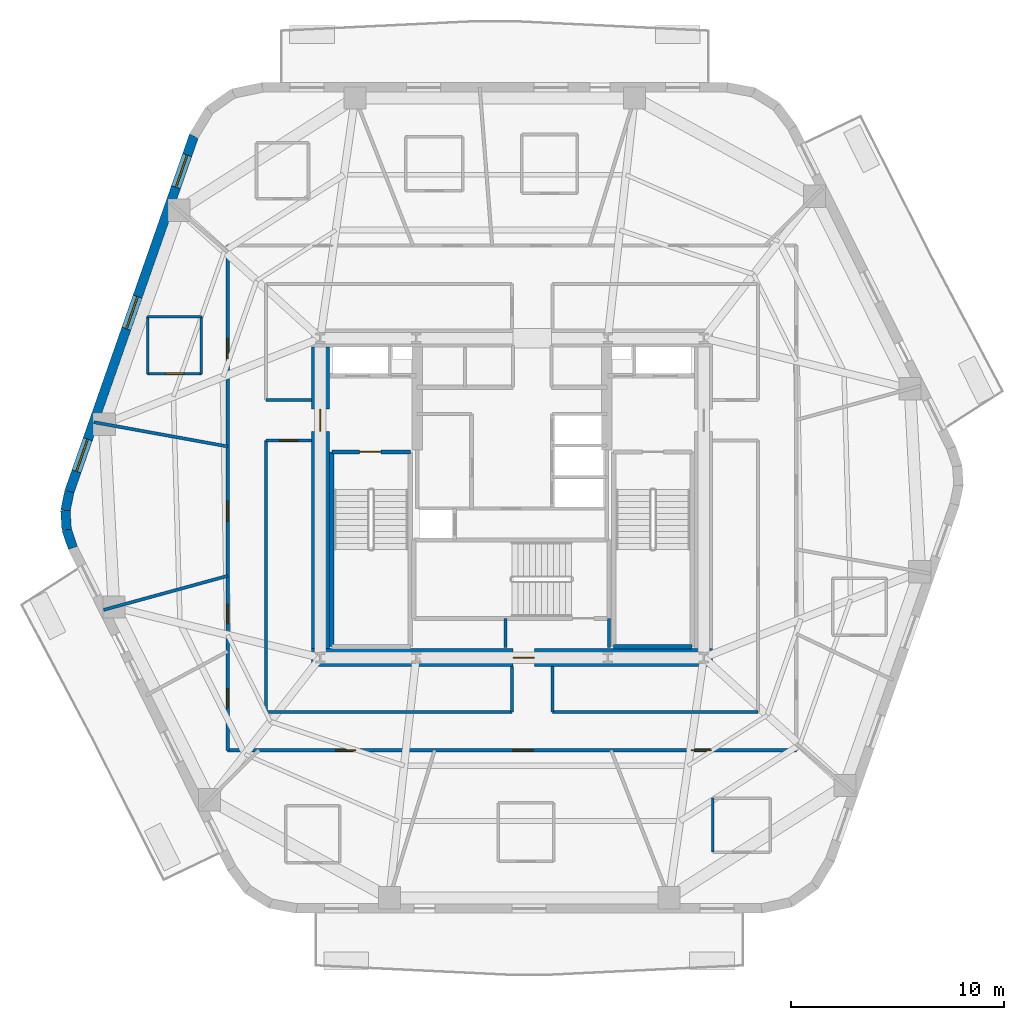
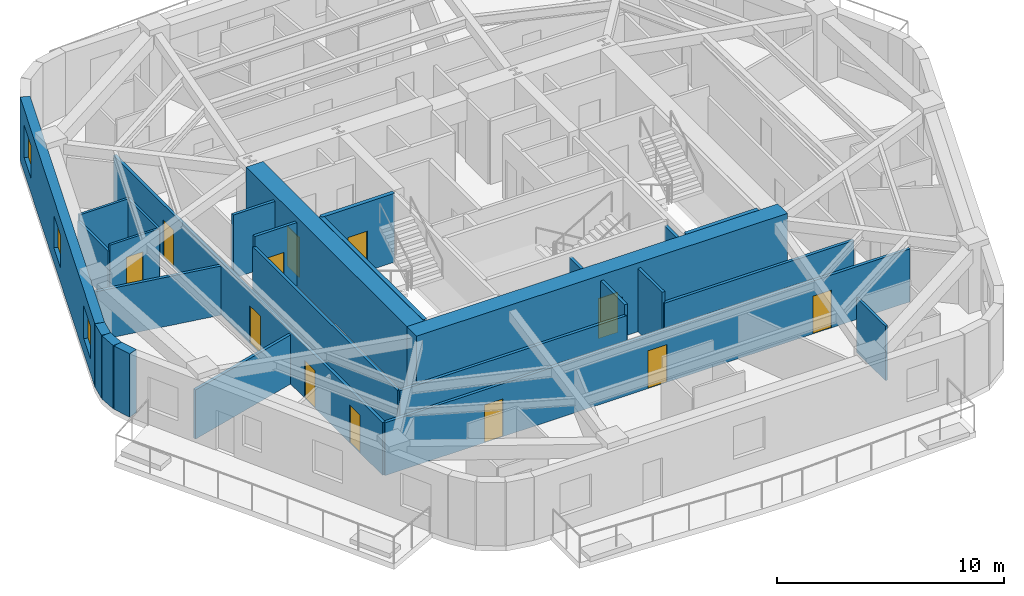
# One storey, part 3 of 10: 27 walls, 12 doors, 3 windows, 15 openings.
"""IFC4 building model written with IfcOpenShell, lengths in metres."""

from ifc_helpers import new_model, si_unit, direction, frame, frame_2d, origin, place, context, subcontext, project, spatial, rectangle, extrude, material, layer, layer_set, type_object, element, fill, save


model = new_model("IFC4")

# Units and contexts
model_context = context("Model", 3, precision=1e-05, world=origin(), true_north=direction((0.0, 1.0)))
body_context = subcontext(model_context, "Body", "Model", "MODEL_VIEW")
ifc_project = project(units=[si_unit("LENGTHUNIT", "METRE"), si_unit("AREAUNIT", "SQUARE_METRE"), si_unit("VOLUMEUNIT", "CUBIC_METRE"), si_unit("PLANEANGLEUNIT", "RADIAN"), si_unit("MASSUNIT", "GRAM", prefix="KILO")], contexts=[model_context])

# Site, building, storey
site_placement = place(None, origin())
site = spatial("IfcSite", under=ifc_project, at=site_placement, CompositionType="ELEMENT")
building_placement = place(site_placement, origin())
building = spatial("IfcBuilding", under=site, at=building_placement, Name="Kilnhurst Terrace Hotel", CompositionType="ELEMENT")
storey_placement = place(building_placement, frame((0.0, 0.0, 155.39990234375)))
storey = spatial("IfcBuildingStorey", under=building, at=storey_placement, Name="L38", CompositionType="ELEMENT", Elevation=155.39990234375)

# Walls
ifc_material_1 = material(Name="Precast concrete C40/50", Category="concrete")
ifc_layer_1 = layer(ifc_material_1, 0.449951171875, Name="Precast concrete C40/50")
ifc_layer_set_1 = layer_set([ifc_layer_1], Name="Precast concrete C40/50")
wall_type_1 = type_object("IfcWallType", Name="WL-BRK-450", PredefinedType="SOLIDWALL", material=ifc_layer_set_1)
wall_1_placement = place(storey_placement, frame((-20.78173828125, 0.298095703125, 0.0), z_axis=(0.0, 0.0, 1.0), x_axis=(-0.202570068411, -0.979267771033, 0.0)))
element("IfcWall", 1, at=wall_1_placement, inside=storey, type_object=wall_type_1, Name="L38 Rounded Corner Brick Wall C6.1", PredefinedType="SOLIDWALL", context=body_context, shape_type="SweptSolid", body=[
    extrude(rectangle(XDim=0.90869140625, YDim=0.449951171875, at=frame_2d((0.454345703125, 0.0))), origin(), (0.0, 0.0, 1.0), 3.400146484375),
])
wall_2_placement = place(storey_placement, frame((-20.9658203125, -0.591796875, 0.0), z_axis=(0.0, 0.0, 1.0), x_axis=(0.061748898935, -0.998091715966, 0.0)))
element("IfcWall", 2, at=wall_2_placement, inside=storey, type_object=wall_type_1, Name="L38 Rounded Corner Brick Wall C6.2", PredefinedType="SOLIDWALL", context=body_context, shape_type="SweptSolid", body=[
    extrude(rectangle(XDim=0.8935546875, YDim=0.449951171875, at=frame_2d((0.44677734375, 0.0))), origin(), (0.0, 0.0, 1.0), 3.400146484375),
])
wall_3_placement = place(storey_placement, frame((-20.91064453125, -1.483642578125, 0.0), z_axis=(0.0, 0.0, 1.0), x_axis=(0.321623334353, -0.946867694453, 0.0)))
element("IfcWall", 3, at=wall_3_placement, inside=storey, type_object=wall_type_1, Name="L38 Rounded Corner Brick Wall C6.3", PredefinedType="SOLIDWALL", context=body_context, shape_type="SweptSolid", body=[
    extrude(rectangle(XDim=0.90869140625, YDim=0.449951171875, at=frame_2d((0.454345703125, 0.0))), origin(), (0.0, 0.0, 1.0), 3.400146484375),
])

# Wall, openings, windows
wall_4_placement = place(storey_placement, frame((-14.936767578125, 16.993408203125, 0.0), z_axis=(0.0, 0.0, 1.0), x_axis=(-0.330431575061, -0.943829949834, 0.0)))
wall_4 = element("IfcWall", 4, at=wall_4_placement, inside=storey, type_object=wall_type_1, Name="L38 Exterior Brick Facade Wall F5", PredefinedType="SOLIDWALL", context=body_context, shape_type="SweptSolid", body=[
    extrude(rectangle(XDim=17.68896484375, YDim=0.449951171875, at=frame_2d((8.844482421875, 0.0))), origin(), (0.0, 0.0, 1.0), 3.400146484375),
])
opening_1_placement = place(wall_4_placement, frame((0.949951171875, 0.0, 0.800048828125)))
opening_1 = element("IfcOpeningElement", 5, at=opening_1_placement, cuts=wall_4, Name="Opening W-05", PredefinedType="OPENING", context=body_context, shape_type="SweptSolid", body=[
    extrude(rectangle(XDim=1.60009765625, YDim=1.75, at=frame_2d((0.800048828125, 0.875))), frame((0.0, 0.23486328125, 0.0), z_axis=(0.0, -1.0, 0.0), x_axis=(1.0, 0.0, 0.0)), (0.0, 0.0, 1.0), 0.469970703125),
])
opening_2_placement = place(wall_4_placement, frame((7.989990234375, 0.0, 0.800048828125)))
opening_2 = element("IfcOpeningElement", 6, at=opening_2_placement, cuts=wall_4, Name="Opening W-05", PredefinedType="OPENING", context=body_context, shape_type="SweptSolid", body=[
    extrude(rectangle(XDim=1.60009765625, YDim=1.75, at=frame_2d((0.800048828125, 0.875))), frame((0.0, 0.23486328125, 0.0), z_axis=(0.0, -1.0, 0.0), x_axis=(1.0, 0.0, 0.0)), (0.0, 0.0, 1.0), 0.469970703125),
])
opening_3_placement = place(wall_4_placement, frame((15.083984375, 0.0, 0.800048828125)))
opening_3 = element("IfcOpeningElement", 7, at=opening_3_placement, cuts=wall_4, Name="Opening W-05", PredefinedType="OPENING", context=body_context, shape_type="SweptSolid", body=[
    extrude(rectangle(XDim=1.60009765625, YDim=1.75, at=frame_2d((0.800048828125, 0.875))), frame((0.0, 0.23486328125, 0.0), z_axis=(0.0, -1.0, 0.0), x_axis=(1.0, 0.0, 0.0)), (0.0, 0.0, 1.0), 0.469970703125),
])
ifc_material_2 = material(Name="Thermally Broken Bronze Aluminium Alloy 6063-T6 and Low-E Glass", Category="aluminium")
window_type = type_object("IfcWindowType", Name="WIN-1600X1750", PartitioningType="SINGLE_PANEL", PredefinedType="WINDOW", material=ifc_material_2)
window_1_placement = place(opening_1_placement, origin())
window_1 = element("IfcWindow", 8, at=window_1_placement, inside=storey, type_object=window_type, Name="L38 Deep-Set Masonry Window F5.1", OverallHeight=1.75, OverallWidth=1.60009765625, PartitioningType="SINGLE_PANEL", PredefinedType="WINDOW", context=body_context, shape_type="SweptSolid", body=[
    extrude(rectangle(XDim=1.60009765625, YDim=1.75, at=frame_2d((0.800048828125, 0.875))), frame((0.0, 0.030029296875, 0.0), z_axis=(0.0, -1.0, 0.0), x_axis=(1.0, 0.0, 0.0)), (0.0, 0.0, 1.0), 0.06005859375),
])
fill(opening_1, window_1)
window_2_placement = place(opening_2_placement, origin())
window_2 = element("IfcWindow", 9, at=window_2_placement, inside=storey, type_object=window_type, Name="L38 Deep-Set Masonry Window F5.2", OverallHeight=1.75, OverallWidth=1.60009765625, PartitioningType="SINGLE_PANEL", PredefinedType="WINDOW", context=body_context, shape_type="SweptSolid", body=[
    extrude(rectangle(XDim=1.60009765625, YDim=1.75, at=frame_2d((0.800048828125, 0.875))), frame((0.0, 0.030029296875, 0.0), z_axis=(0.0, -1.0, 0.0), x_axis=(1.0, 0.0, 0.0)), (0.0, 0.0, 1.0), 0.06005859375),
])
fill(opening_2, window_2)
window_3_placement = place(opening_3_placement, origin())
window_3 = element("IfcWindow", 10, at=window_3_placement, inside=storey, type_object=window_type, Name="L38 Deep-Set Masonry Window F5.3", OverallHeight=1.75, OverallWidth=1.60009765625, PartitioningType="SINGLE_PANEL", PredefinedType="WINDOW", context=body_context, shape_type="SweptSolid", body=[
    extrude(rectangle(XDim=1.60009765625, YDim=1.75, at=frame_2d((0.800048828125, 0.875))), frame((0.0, 0.030029296875, 0.0), z_axis=(0.0, -1.0, 0.0), x_axis=(1.0, 0.0, 0.0)), (0.0, 0.0, 1.0), 0.06005859375),
])
fill(opening_3, window_3)

# Wall, openings, doors
ifc_material_3 = material(Name="Acoustic Double-Gypsum Corridor Partition Assembly")
ifc_layer_2 = layer(ifc_material_3, 0.14990234375, Name="Acoustic Double-Gypsum Corridor Partition Assembly")
ifc_layer_set_2 = layer_set([ifc_layer_2], Name="Acoustic Double-Gypsum Corridor Partition Assembly")
wall_type_2 = type_object("IfcWallType", Name="WL-COR-150", PredefinedType="PARTITIONING", material=ifc_layer_set_2)
wall_5_placement = place(storey_placement, frame((13.35009765625, -11.85009765625, 0.0), z_axis=(0.0, 0.0, 1.0), x_axis=(-1.0, 0.0, 0.0)))
wall_5 = element("IfcWall", 11, at=wall_5_placement, inside=storey, type_object=wall_type_2, Name="L38 Interior Wall WL-L38-COR-01", PredefinedType="PARTITIONING", context=body_context, shape_type="SweptSolid", body=[
    extrude(rectangle(XDim=26.7001953125, YDim=0.14990234375, at=frame_2d((13.35009765625, 0.0))), origin(), (0.0, 0.0, 1.0), 2.840087890625),
])
opening_4_placement = place(wall_5_placement, frame((20.681884765625, 0.0, 0.0)))
opening_4 = element("IfcOpeningElement", 12, at=opening_4_placement, cuts=wall_5, Name="Opening D-60B", PredefinedType="OPENING", context=body_context, shape_type="SweptSolid", body=[
    extrude(rectangle(XDim=0.949951171875, YDim=2.030029296875, at=frame_2d((0.47509765625, 1.01513671875))), frame((0.0, 0.0849609375, 0.0), z_axis=(0.0, -1.0, 0.0), x_axis=(1.0, 0.0, 0.0)), (0.0, 0.0, 1.0), 0.169921875),
])
opening_5_placement = place(wall_5_placement, frame((12.362060546875, 0.0, 0.0)))
opening_5 = element("IfcOpeningElement", 13, at=opening_5_placement, cuts=wall_5, Name="Opening D-60B", PredefinedType="OPENING", context=body_context, shape_type="SweptSolid", body=[
    extrude(rectangle(XDim=0.949951171875, YDim=2.030029296875, at=frame_2d((0.47509765625, 1.01513671875))), frame((0.0, 0.0849609375, 0.0), z_axis=(0.0, -1.0, 0.0), x_axis=(1.0, 0.0, 0.0)), (0.0, 0.0, 1.0), 0.169921875),
])
opening_6_placement = place(wall_5_placement, frame((3.9951171875, 0.0, 0.0)))
opening_6 = element("IfcOpeningElement", 14, at=opening_6_placement, cuts=wall_5, Name="Opening D-60B", PredefinedType="OPENING", context=body_context, shape_type="SweptSolid", body=[
    extrude(rectangle(XDim=0.949951171875, YDim=2.030029296875, at=frame_2d((0.47509765625, 1.01513671875))), frame((0.0, 0.0849609375, 0.0), z_axis=(0.0, -1.0, 0.0), x_axis=(1.0, 0.0, 0.0)), (0.0, 0.0, 1.0), 0.169921875),
])
ifc_material_4 = material(Name="Acoustic Walnut Veneer Solid-Core Fire Door")
door_type_1 = type_object("IfcDoorType", Name="DR-FD60-950", OperationType="NOTDEFINED", PredefinedType="DOOR", material=ifc_material_4)
door_1_placement = place(opening_4_placement, origin())
door_1 = element("IfcDoor", 15, at=door_1_placement, inside=storey, type_object=door_type_1, Name="L38 Executive Suite Entry Door 10", OperationType="SINGLE_SWING_RIGHT", OverallHeight=2.030029296875, OverallWidth=0.949951171875, PredefinedType="DOOR", context=body_context, shape_type="SweptSolid", body=[
    extrude(rectangle(XDim=0.949951171875, YDim=2.030029296875, at=frame_2d((0.47509765625, 1.01513671875))), frame((0.0, 0.02490234375, 0.0), z_axis=(0.0, -1.0, 0.0), x_axis=(1.0, 0.0, 0.0)), (0.0, 0.0, 1.0), 0.050048828125),
])
fill(opening_4, door_1)
door_2_placement = place(opening_5_placement, origin())
door_2 = element("IfcDoor", 16, at=door_2_placement, inside=storey, type_object=door_type_1, Name="L38 Executive Suite Entry Door 11", OperationType="SINGLE_SWING_LEFT", OverallHeight=2.030029296875, OverallWidth=0.949951171875, PredefinedType="DOOR", context=body_context, shape_type="SweptSolid", body=[
    extrude(rectangle(XDim=0.949951171875, YDim=2.030029296875, at=frame_2d((0.47509765625, 1.01513671875))), frame((0.0, 0.02490234375, 0.0), z_axis=(0.0, -1.0, 0.0), x_axis=(1.0, 0.0, 0.0)), (0.0, 0.0, 1.0), 0.050048828125),
])
fill(opening_5, door_2)
door_3_placement = place(opening_6_placement, origin())
door_3 = element("IfcDoor", 17, at=door_3_placement, inside=storey, type_object=door_type_1, Name="L38 Executive Suite Entry Door 12", OperationType="SINGLE_SWING_RIGHT", OverallHeight=2.030029296875, OverallWidth=0.949951171875, PredefinedType="DOOR", context=body_context, shape_type="SweptSolid", body=[
    extrude(rectangle(XDim=0.949951171875, YDim=2.030029296875, at=frame_2d((0.47509765625, 1.01513671875))), frame((0.0, 0.02490234375, 0.0), z_axis=(0.0, -1.0, 0.0), x_axis=(1.0, 0.0, 0.0)), (0.0, 0.0, 1.0), 0.050048828125),
])
fill(opening_6, door_3)

wall_6_placement = place(storey_placement, frame((-13.35009765625, -11.85009765625, 0.0), z_axis=(0.0, 0.0, 1.0), x_axis=(0.0, 1.0, 0.0)))
wall_6 = element("IfcWall", 18, at=wall_6_placement, inside=storey, type_object=wall_type_2, Name="L38 Interior Wall WL-L38-COR-02", PredefinedType="PARTITIONING", context=body_context, shape_type="SweptSolid", body=[
    extrude(rectangle(XDim=23.7001953125, YDim=0.14990234375, at=frame_2d((11.85009765625, 0.0))), origin(), (0.0, 0.0, 1.0), 2.840087890625),
])
opening_7_placement = place(wall_6_placement, frame((18.388916015625, 0.0, 0.0)))
opening_7 = element("IfcOpeningElement", 19, at=opening_7_placement, cuts=wall_6, Name="Opening D-60B", PredefinedType="OPENING", context=body_context, shape_type="SweptSolid", body=[
    extrude(rectangle(XDim=0.949951171875, YDim=2.030029296875, at=frame_2d((0.47509765625, 1.01513671875))), frame((0.0, 0.0849609375, 0.0), z_axis=(0.0, -1.0, 0.0), x_axis=(1.0, 0.0, 0.0)), (0.0, 0.0, 1.0), 0.169921875),
])
opening_8_placement = place(wall_6_placement, frame((10.7509765625, 0.0, 0.0)))
opening_8 = element("IfcOpeningElement", 20, at=opening_8_placement, cuts=wall_6, Name="Opening D-60B", PredefinedType="OPENING", context=body_context, shape_type="SweptSolid", body=[
    extrude(rectangle(XDim=0.949951171875, YDim=2.030029296875, at=frame_2d((0.47509765625, 1.01513671875))), frame((0.0, 0.0849609375, 0.0), z_axis=(0.0, -1.0, 0.0), x_axis=(1.0, 0.0, 0.0)), (0.0, 0.0, 1.0), 0.169921875),
])
opening_9_placement = place(wall_6_placement, frame((5.950927734375, 0.0, 0.0)))
opening_9 = element("IfcOpeningElement", 21, at=opening_9_placement, cuts=wall_6, Name="Opening D-60C", PredefinedType="OPENING", context=body_context, shape_type="SweptSolid", body=[
    extrude(rectangle(XDim=0.89990234375, YDim=2.030029296875, at=frame_2d((0.449951171875, 1.01513671875))), frame((0.0, 0.0849609375, 0.0), z_axis=(0.0, -1.0, 0.0), x_axis=(1.0, 0.0, 0.0)), (0.0, 0.0, 1.0), 0.169921875),
])
opening_10_placement = place(wall_6_placement, frame((1.992919921875, 0.0, 0.0)))
opening_10 = element("IfcOpeningElement", 22, at=opening_10_placement, cuts=wall_6, Name="Opening D-60C", PredefinedType="OPENING", context=body_context, shape_type="SweptSolid", body=[
    extrude(rectangle(XDim=0.89990234375, YDim=2.030029296875, at=frame_2d((0.449951171875, 1.01513671875))), frame((0.0, 0.0849609375, 0.0), z_axis=(0.0, -1.0, 0.0), x_axis=(1.0, 0.0, 0.0)), (0.0, 0.0, 1.0), 0.169921875),
])
ifc_material_5 = material(Name="Painted Solid-Core Service Fire Door")
door_type_2 = type_object("IfcDoorType", Name="DR-FD60-900", OperationType="NOTDEFINED", PredefinedType="DOOR", material=ifc_material_5)
door_4_placement = place(opening_9_placement, origin())
door_4 = element("IfcDoor", 23, at=door_4_placement, inside=storey, type_object=door_type_2, Name="L38 Executive Work Office Door 8", OperationType="SINGLE_SWING_RIGHT", OverallHeight=2.030029296875, OverallWidth=0.89990234375, PredefinedType="DOOR", context=body_context, shape_type="SweptSolid", body=[
    extrude(rectangle(XDim=0.89990234375, YDim=2.030029296875, at=frame_2d((0.449951171875, 1.01513671875))), frame((0.0, 0.02490234375, 0.0), z_axis=(0.0, -1.0, 0.0), x_axis=(1.0, 0.0, 0.0)), (0.0, 0.0, 1.0), 0.050048828125),
])
fill(opening_9, door_4)
door_5_placement = place(opening_10_placement, origin())
door_5 = element("IfcDoor", 24, at=door_5_placement, inside=storey, type_object=door_type_2, Name="L38 Botanical Reading Lounge Door 9", OperationType="SINGLE_SWING_LEFT", OverallHeight=2.030029296875, OverallWidth=0.89990234375, PredefinedType="DOOR", context=body_context, shape_type="SweptSolid", body=[
    extrude(rectangle(XDim=0.89990234375, YDim=2.030029296875, at=frame_2d((0.449951171875, 1.01513671875))), frame((0.0, 0.02490234375, 0.0), z_axis=(0.0, -1.0, 0.0), x_axis=(1.0, 0.0, 0.0)), (0.0, 0.0, 1.0), 0.050048828125),
])
fill(opening_10, door_5)
door_6_placement = place(opening_7_placement, origin())
door_6 = element("IfcDoor", 25, at=door_6_placement, inside=storey, type_object=door_type_1, Name="L38 Guest Room Entry Door 6", OperationType="SINGLE_SWING_RIGHT", OverallHeight=2.030029296875, OverallWidth=0.949951171875, PredefinedType="DOOR", context=body_context, shape_type="SweptSolid", body=[
    extrude(rectangle(XDim=0.949951171875, YDim=2.030029296875, at=frame_2d((0.47509765625, 1.01513671875))), frame((0.0, 0.02490234375, 0.0), z_axis=(0.0, -1.0, 0.0), x_axis=(1.0, 0.0, 0.0)), (0.0, 0.0, 1.0), 0.050048828125),
])
fill(opening_7, door_6)
door_7_placement = place(opening_8_placement, origin())
door_7 = element("IfcDoor", 26, at=door_7_placement, inside=storey, type_object=door_type_1, Name="L38 Wellness Treatment Room Door", OperationType="SINGLE_SWING_LEFT", OverallHeight=2.030029296875, OverallWidth=0.949951171875, PredefinedType="DOOR", context=body_context, shape_type="SweptSolid", body=[
    extrude(rectangle(XDim=0.949951171875, YDim=2.030029296875, at=frame_2d((0.47509765625, 1.01513671875))), frame((0.0, 0.02490234375, 0.0), z_axis=(0.0, -1.0, 0.0), x_axis=(1.0, 0.0, 0.0)), (0.0, 0.0, 1.0), 0.050048828125),
])
fill(opening_8, door_7)

# Wall
wall_7_placement = place(storey_placement, frame((-11.550048828125, 4.60009765625, 0.0), z_axis=(0.0, 0.0, 1.0), x_axis=(1.0, 0.0, 0.0)))
element("IfcWall", 27, at=wall_7_placement, inside=storey, type_object=wall_type_2, Name="L38 Interior Wall WL-L38-COR-14", PredefinedType="PARTITIONING", context=body_context, shape_type="SweptSolid", body=[
    extrude(rectangle(XDim=2.125, YDim=0.14990234375, at=frame_2d((1.0625, 0.0))), origin(), (0.0, 0.0, 1.0), 3.400146484375),
])

# Wall, opening, door
wall_8_placement = place(storey_placement, frame((-9.425048828125, 2.699951171875, 0.0), z_axis=(0.0, 0.0, 1.0), x_axis=(-1.0, 0.0, 0.0)))
wall_8 = element("IfcWall", 28, at=wall_8_placement, inside=storey, type_object=wall_type_2, Name="L38 Interior Wall WL-L38-COR-15", PredefinedType="PARTITIONING", context=body_context, shape_type="SweptSolid", body=[
    extrude(rectangle(XDim=2.125, YDim=0.14990234375, at=frame_2d((1.0625, 0.0))), origin(), (0.0, 0.0, 1.0), 3.400146484375),
])
opening_11_placement = place(wall_8_placement, frame((0.636962890625, 0.0, 0.0)))
opening_11 = element("IfcOpeningElement", 29, at=opening_11_placement, cuts=wall_8, Name="Opening D-60D", PredefinedType="OPENING", context=body_context, shape_type="SweptSolid", body=[
    extrude(rectangle(XDim=0.85009765625, YDim=2.030029296875, at=frame_2d((0.425048828125, 1.01513671875))), frame((0.0, 0.0849609375, 0.0), z_axis=(0.0, -1.0, 0.0), x_axis=(1.0, 0.0, 0.0)), (0.0, 0.0, 1.0), 0.169921875),
])
ifc_material_6 = material(Name="Painted Hollow Metal Steel ASTM A36 Riser Door", Category="steel")
door_type_3 = type_object("IfcDoorType", Name="DR-FD60-850", OperationType="NOTDEFINED", PredefinedType="DOOR", material=ifc_material_6)
door_8_placement = place(opening_11_placement, origin())
door_8 = element("IfcDoor", 30, at=door_8_placement, inside=storey, type_object=door_type_3, Name="L38 Floor Linen Storage Room Door", OperationType="SINGLE_SWING_LEFT", OverallHeight=2.030029296875, OverallWidth=0.85009765625, PredefinedType="DOOR", context=body_context, shape_type="SweptSolid", body=[
    extrude(rectangle(XDim=0.85009765625, YDim=2.030029296875, at=frame_2d((0.425048828125, 1.01513671875))), frame((0.0, 0.02490234375, 0.0), z_axis=(0.0, -1.0, 0.0), x_axis=(1.0, 0.0, 0.0)), (0.0, 0.0, 1.0), 0.050048828125),
])
fill(opening_11, door_8)

# Walls
wall_9_placement = place(storey_placement, frame((-11.550048828125, 2.699951171875, 0.0), z_axis=(0.0, 0.0, 1.0), x_axis=(0.0, -1.0, 0.0)))
element("IfcWall", 31, at=wall_9_placement, inside=storey, type_object=wall_type_2, Name="L38 Interior Wall WL-L38-COR-16", PredefinedType="PARTITIONING", context=body_context, shape_type="SweptSolid", body=[
    extrude(rectangle(XDim=12.75, YDim=0.14990234375, at=frame_2d((6.375, 0.0))), origin(), (0.0, 0.0, 1.0), 2.840087890625),
])
wall_10_placement = place(storey_placement, frame((-11.550048828125, -10.050048828125, 0.0), z_axis=(0.0, 0.0, 1.0), x_axis=(1.0, 0.0, 0.0)))
element("IfcWall", 32, at=wall_10_placement, inside=storey, type_object=wall_type_2, Name="L38 Interior Wall WL-L38-COR-17", PredefinedType="PARTITIONING", context=body_context, shape_type="SweptSolid", body=[
    extrude(rectangle(XDim=11.550048828125, YDim=0.14990234375, at=frame_2d((5.77490234375, 0.0))), origin(), (0.0, 0.0, 1.0), 2.840087890625),
])
for number, where, z_axis, x_axis, name in (
    (33, (0.0, -10.050048828125, 0.0), (0.0, 0.0, 1.0), (0.0, 1.0, 0.0), "L38 Interior Wall WL-L38-COR-18"),
    (34, (1.89990234375, -7.925048828125, 0.0), (0.0, 0.0, 1.0), (0.0, -1.0, 0.0), "L38 Interior Wall WL-L38-COR-19"),
):
    element("IfcWall", number, at=place(storey_placement, frame(where, z_axis=z_axis, x_axis=x_axis)), inside=storey, type_object=wall_type_2, Name=name, PredefinedType="PARTITIONING", context=body_context, shape_type="SweptSolid", body=[
        extrude(rectangle(XDim=2.125, YDim=0.14990234375, at=frame_2d((1.0625, 0.0))), origin(), (0.0, 0.0, 1.0), 3.400146484375),
    ])
wall_11_placement = place(storey_placement, frame((1.89990234375, -10.050048828125, 0.0), z_axis=(0.0, 0.0, 1.0), x_axis=(1.0, 0.0, 0.0)))
element("IfcWall", 35, at=wall_11_placement, inside=storey, type_object=wall_type_2, Name="L38 Interior Wall WL-L38-COR-20", PredefinedType="PARTITIONING", context=body_context, shape_type="SweptSolid", body=[
    extrude(rectangle(XDim=9.650146484375, YDim=0.14990234375, at=frame_2d((4.8251953125, 0.0))), origin(), (0.0, 0.0, 1.0), 2.840087890625),
])

# Wall, opening, door
ifc_material_7 = material(Name="Concrete C80/95", Category="concrete")
ifc_layer_3 = layer(ifc_material_7, 0.85009765625, Name="Concrete C80/95")
ifc_layer_set_3 = layer_set([ifc_layer_3], Name="Concrete C80/95")
wall_type_3 = type_object("IfcWallType", Name="WL-CORE-850", PredefinedType="SHEAR", material=ifc_layer_set_3)
wall_12_placement = place(storey_placement, frame((-9.425048828125, -7.5, 0.0), z_axis=(0.0, 0.0, 1.0), x_axis=(1.0, 0.0, 0.0)))
wall_12 = element("IfcWall", 36, at=wall_12_placement, inside=storey, type_object=wall_type_3, Name="L38 Core South Shear Wall", PredefinedType="SHEAR", context=body_context, shape_type="SweptSolid", body=[
    extrude(rectangle(XDim=18.85009765625, YDim=0.85009765625, at=frame_2d((9.425048828125, 0.0))), origin(), (0.0, 0.0, 1.0), 3.7001953125),
])
opening_12_placement = place(wall_12_placement, frame((9.47509765625, 0.0, 0.0)))
opening_12 = element("IfcOpeningElement", 37, at=opening_12_placement, cuts=wall_12, Name="Opening D-90B", PredefinedType="OPENING", context=body_context, shape_type="SweptSolid", body=[
    extrude(rectangle(XDim=1.0, YDim=2.14990234375, at=frame_2d((0.5, 1.074951171875))), frame((0.0, 0.43505859375, 0.0), z_axis=(0.0, -1.0, 0.0), x_axis=(1.0, 0.0, 0.0)), (0.0, 0.0, 1.0), 0.8701171875),
])
ifc_material_8 = material(Name="Painted Hollow Metal Steel ASTM A36 Fire Door", Category="steel")
door_type_4 = type_object("IfcDoorType", Name="DR-FD90-1000", OperationType="NOTDEFINED", PredefinedType="DOOR", material=ifc_material_8)
door_9_placement = place(opening_12_placement, origin())
door_9 = element("IfcDoor", 38, at=door_9_placement, inside=storey, type_object=door_type_4, Name="L38 Stair ST-3 Corridor Door", OperationType="SINGLE_SWING_RIGHT", OverallHeight=2.14990234375, OverallWidth=1.0, PredefinedType="DOOR", context=body_context, shape_type="SweptSolid", body=[
    extrude(rectangle(XDim=1.0, YDim=2.14990234375, at=frame_2d((0.5, 1.074951171875))), frame((0.0, 0.02490234375, 0.0), z_axis=(0.0, -1.0, 0.0), x_axis=(1.0, 0.0, 0.0)), (0.0, 0.0, 1.0), 0.050048828125),
])
fill(opening_12, door_9)

wall_13_placement = place(storey_placement, frame((-9.0, -7.074951171875, 0.0), z_axis=(0.0, 0.0, 1.0), x_axis=(0.0, 1.0, 0.0)))
wall_13 = element("IfcWall", 39, at=wall_13_placement, inside=storey, type_object=wall_type_3, Name="L38 Core West Shear Wall", PredefinedType="SHEAR", context=body_context, shape_type="SweptSolid", body=[
    extrude(rectangle(XDim=14.14990234375, YDim=0.85009765625, at=frame_2d((7.074951171875, 0.0))), origin(), (0.0, 0.0, 1.0), 3.7001953125),
])
opening_13_placement = place(wall_13_placement, frame((10.199951171875, 0.0, 0.0)))
opening_13 = element("IfcOpeningElement", 40, at=opening_13_placement, cuts=wall_13, Name="Opening D-90A", PredefinedType="OPENING", context=body_context, shape_type="SweptSolid", body=[
    extrude(rectangle(XDim=1.050048828125, YDim=2.14990234375, at=frame_2d((0.52490234375, 1.074951171875))), frame((0.0, 0.43505859375, 0.0), z_axis=(0.0, -1.0, 0.0), x_axis=(1.0, 0.0, 0.0)), (0.0, 0.0, 1.0), 0.8701171875),
])
door_type_5 = type_object("IfcDoorType", Name="DR-FD90-1050", OperationType="NOTDEFINED", PredefinedType="DOOR", material=ifc_material_8)
door_10_placement = place(opening_13_placement, origin())
door_10 = element("IfcDoor", 41, at=door_10_placement, inside=storey, type_object=door_type_5, Name="L38 West Firefighting Lobby Door", OperationType="SINGLE_SWING_RIGHT", OverallHeight=2.14990234375, OverallWidth=1.050048828125, PredefinedType="DOOR", context=body_context, shape_type="SweptSolid", body=[
    extrude(rectangle(XDim=1.050048828125, YDim=2.14990234375, at=frame_2d((0.52490234375, 1.074951171875))), frame((0.0, 0.02490234375, 0.0), z_axis=(0.0, -1.0, 0.0), x_axis=(1.0, 0.0, 0.0)), (0.0, 0.0, 1.0), 0.050048828125),
])
fill(opening_13, door_10)

# Walls
ifc_material_9 = material(Name="STC-58 Acoustic Twin-Frame Guestroom Demising Partition")
ifc_layer_4 = layer(ifc_material_9, 0.14990234375, Name="STC-58 Acoustic Twin-Frame Guestroom Demising Partition")
ifc_layer_set_4 = layer_set([ifc_layer_4], Name="STC-58 Acoustic Twin-Frame Guestroom Demising Partition")
wall_type_4 = type_object("IfcWallType", Name="WL-DEM-150", PredefinedType="PARTITIONING", material=ifc_layer_set_4)
wall_14_placement = place(storey_placement, frame((-13.35009765625, 2.417236328125, 0.0), z_axis=(0.0, 0.0, 1.0), x_axis=(-0.98399796473, 0.178179699761, 0.0)))
element("IfcWall", 42, at=wall_14_placement, inside=storey, type_object=wall_type_4, Name="L38 Interior Wall WL-L38-DEM-COL06-07-1", PredefinedType="PARTITIONING", context=body_context, shape_type="SweptSolid", body=[
    extrude(rectangle(XDim=6.393310546875, YDim=0.14990234375, at=frame_2d((3.19677734375, 0.0))), origin(), (0.0, 0.0, 1.0), 2.64013671875),
])
wall_15_placement = place(storey_placement, frame((-13.35009765625, -3.66064453125, 0.0), z_axis=(0.0, 0.0, 1.0), x_axis=(-0.964397145454, -0.264458211898, 0.0)))
element("IfcWall", 43, at=wall_15_placement, inside=storey, type_object=wall_type_4, Name="L38 Interior Wall WL-L38-DEM-COL07-08-1", PredefinedType="PARTITIONING", context=body_context, shape_type="SweptSolid", body=[
    extrude(rectangle(XDim=6.03857421875, YDim=0.14990234375, at=frame_2d((3.019287109375, 0.0))), origin(), (0.0, 0.0, 1.0), 2.64013671875),
])

# Wall, opening, door
ifc_material_10 = material(Name="120 mm Moisture-Resistant Tile-Backed Bathroom Partition")
ifc_layer_5 = layer(ifc_material_10, 0.1201171875, Name="120 mm Moisture-Resistant Tile-Backed Bathroom Partition")
ifc_layer_set_5 = layer_set([ifc_layer_5], Name="120 mm Moisture-Resistant Tile-Backed Bathroom Partition")
wall_type_5 = type_object("IfcWallType", Name="WL-PART-120", PredefinedType="PARTITIONING", material=ifc_layer_set_5)
wall_16_placement = place(storey_placement, frame((-17.10302734375, 5.8291015625, 0.0), z_axis=(0.0, 0.0, 1.0), x_axis=(1.0, 0.0, 0.0)))
wall_16 = element("IfcWall", 44, at=wall_16_placement, inside=storey, type_object=wall_type_5, Name="L38 Interior Wall WL-L38-BTH-06-1", PredefinedType="PARTITIONING", context=body_context, shape_type="SweptSolid", body=[
    extrude(rectangle(XDim=2.52001953125, YDim=0.1201171875, at=frame_2d((1.260009765625, 0.0))), origin(), (0.0, 0.0, 1.0), 2.972412109375),
])
opening_14_placement = place(wall_16_placement, frame((0.8349609375, 0.0, 0.0)))
opening_14 = element("IfcOpeningElement", 45, at=opening_14_placement, cuts=wall_16, Name="Opening D-08A", PredefinedType="OPENING", context=body_context, shape_type="SweptSolid", body=[
    extrude(rectangle(XDim=0.85009765625, YDim=2.030029296875, at=frame_2d((0.425048828125, 1.01513671875))), frame((0.0, 0.070068359375, 0.0), z_axis=(0.0, -1.0, 0.0), x_axis=(1.0, 0.0, 0.0)), (0.0, 0.0, 1.0), 0.14013671875),
])
ifc_material_11 = material(Name="Moisture-Resistant Lacquered En-suite Bathroom Door")
door_type_6 = type_object("IfcDoorType", Name="DR-INT-850", OperationType="NOTDEFINED", PredefinedType="DOOR", material=ifc_material_11)
door_11_placement = place(opening_14_placement, origin())
door_11 = element("IfcDoor", 46, at=door_11_placement, inside=storey, type_object=door_type_6, Name="L38 En-suite Bathroom Door 6", OperationType="SINGLE_SWING_LEFT", OverallHeight=2.030029296875, OverallWidth=0.85009765625, PredefinedType="DOOR", context=body_context, shape_type="SweptSolid", body=[
    extrude(rectangle(XDim=0.85009765625, YDim=2.030029296875, at=frame_2d((0.425048828125, 1.01513671875))), frame((0.0, 0.02490234375, 0.0), z_axis=(0.0, -1.0, 0.0), x_axis=(1.0, 0.0, 0.0)), (0.0, 0.0, 1.0), 0.050048828125),
])
fill(opening_14, door_11)

# Walls
wall_17_placement = place(storey_placement, frame((-14.5830078125, 5.8291015625, 0.0), z_axis=(0.0, 0.0, 1.0), x_axis=(0.0, 1.0, 0.0)))
element("IfcWall", 47, at=wall_17_placement, inside=storey, type_object=wall_type_5, Name="L38 Interior Wall WL-L38-BTH-06-2", PredefinedType="PARTITIONING", context=body_context, shape_type="SweptSolid", body=[
    extrude(rectangle(XDim=2.679931640625, YDim=0.1201171875, at=frame_2d((1.33984375, 0.0))), origin(), (0.0, 0.0, 1.0), 2.972412109375),
])
wall_18_placement = place(storey_placement, frame((-14.5830078125, 8.509033203125, 0.0), z_axis=(0.0, 0.0, 1.0), x_axis=(-1.0, 0.0, 0.0)))
element("IfcWall", 48, at=wall_18_placement, inside=storey, type_object=wall_type_5, Name="L38 Interior Wall WL-L38-BTH-06-3", PredefinedType="PARTITIONING", context=body_context, shape_type="SweptSolid", body=[
    extrude(rectangle(XDim=2.52001953125, YDim=0.1201171875, at=frame_2d((1.260009765625, 0.0))), origin(), (0.0, 0.0, 1.0), 2.972412109375),
])
wall_19_placement = place(storey_placement, frame((-17.10302734375, 8.509033203125, 0.0), z_axis=(0.0, 0.0, 1.0), x_axis=(0.0, -1.0, 0.0)))
element("IfcWall", 49, at=wall_19_placement, inside=storey, type_object=wall_type_5, Name="L38 Interior Wall WL-L38-BTH-06-4", PredefinedType="PARTITIONING", context=body_context, shape_type="SweptSolid", body=[
    extrude(rectangle(XDim=2.679931640625, YDim=0.1201171875, at=frame_2d((1.33984375, 0.0))), origin(), (0.0, 0.0, 1.0), 2.64013671875),
])
wall_20_placement = place(storey_placement, frame((9.43603515625, -14.092041015625, 0.0), z_axis=(0.0, 0.0, 1.0), x_axis=(0.0, -1.0, 0.0)))
element("IfcWall", 50, at=wall_20_placement, inside=storey, type_object=wall_type_5, Name="L38 Interior Wall WL-L38-BTH-12-4", PredefinedType="PARTITIONING", context=body_context, shape_type="SweptSolid", body=[
    extrude(rectangle(XDim=2.5400390625, YDim=0.1201171875, at=frame_2d((1.27001953125, 0.0))), origin(), (0.0, 0.0, 1.0), 2.926513671875),
])
ifc_material_12 = material(Name="Fire-Rated Gypsum Shaftliner Assembly")
ifc_layer_6 = layer(ifc_material_12, 0.14990234375, Name="Fire-Rated Gypsum Shaftliner Assembly")
ifc_layer_set_6 = layer_set([ifc_layer_6], Name="Fire-Rated Gypsum Shaftliner Assembly")
wall_type_6 = type_object("IfcWallType", Name="WL-SHAFT-150", PredefinedType="PARTITIONING", material=ifc_layer_set_6)
for number, where, z_axis, x_axis, name in (
    (51, (-0.300048828125, -7.02001953125, 0.0), (0.0, 0.0, 1.0), (0.0, 1.0, 0.0), "L38 Interior Wall WL-L38-ST3-PSGW"),
    (52, (4.55810546875, -7.02001953125, 0.0), (0.0, 0.0, 1.0), (0.0, 1.0, 0.0), "L38 Interior Wall WL-L38-ST3-PSGE"),
):
    element("IfcWall", number, at=place(storey_placement, frame(where, z_axis=z_axis, x_axis=x_axis)), inside=storey, type_object=wall_type_6, Name=name, PredefinedType="PARTITIONING", context=body_context, shape_type="SweptSolid", body=[
        extrude(rectangle(XDim=1.362060546875, YDim=0.14990234375, at=frame_2d((0.68115234375, 0.0))), origin(), (0.0, 0.0, 1.0), 3.400146484375),
    ])
ifc_material_13 = material(Name="Concrete C50/60", Category="concrete")
ifc_layer_7 = layer(ifc_material_13, 0.199951171875, Name="Concrete C50/60")
ifc_layer_set_7 = layer_set([ifc_layer_7], Name="Concrete C50/60")
wall_type_7 = type_object("IfcWallType", Name="WL-STAIR-RC-200", PredefinedType="SHEAR", material=ifc_layer_set_7)
wall_21_placement = place(storey_placement, frame((-8.4580078125, -6.985107421875, 0.0), z_axis=(0.0, 0.0, 1.0), x_axis=(0.0, 1.0, 0.0)))
element("IfcWall", 53, at=wall_21_placement, inside=storey, type_object=wall_type_7, Name="L38 Structural Stair Shaft Wall WL-L38-ST1-W", PredefinedType="SHEAR", context=body_context, shape_type="SweptSolid", body=[
    extrude(rectangle(XDim=9.14306640625, YDim=0.199951171875, at=frame_2d((4.571533203125, 0.0))), origin(), (0.0, 0.0, 1.0), 3.7001953125),
])

# Wall, opening, door
wall_22_placement = place(storey_placement, frame((-8.4580078125, 2.157958984375, 0.0), z_axis=(0.0, 0.0, 1.0), x_axis=(1.0, 0.0, 0.0)))
wall_22 = element("IfcWall", 54, at=wall_22_placement, inside=storey, type_object=wall_type_7, Name="L38 Structural Stair Shaft Wall WL-L38-ST1-N", PredefinedType="SHEAR", context=body_context, shape_type="SweptSolid", body=[
    extrude(rectangle(XDim=3.68603515625, YDim=0.199951171875, at=frame_2d((1.843017578125, 0.0))), origin(), (0.0, 0.0, 1.0), 3.7001953125),
])
opening_15_placement = place(wall_22_placement, frame((1.300048828125, 0.0, 0.0)))
opening_15 = element("IfcOpeningElement", 55, at=opening_15_placement, cuts=wall_22, Name="Opening D-90B", PredefinedType="OPENING", context=body_context, shape_type="SweptSolid", body=[
    extrude(rectangle(XDim=1.0, YDim=2.14990234375, at=frame_2d((0.5, 1.074951171875))), frame((0.0, 0.10986328125, 0.0), z_axis=(0.0, -1.0, 0.0), x_axis=(1.0, 0.0, 0.0)), (0.0, 0.0, 1.0), 0.219970703125),
])
door_12_placement = place(opening_15_placement, origin())
door_12 = element("IfcDoor", 56, at=door_12_placement, inside=storey, type_object=door_type_4, Name="L38 Stair ST-1 Door", OperationType="SINGLE_SWING_LEFT", OverallHeight=2.14990234375, OverallWidth=1.0, PredefinedType="DOOR", context=body_context, shape_type="SweptSolid", body=[
    extrude(rectangle(XDim=1.0, YDim=2.14990234375, at=frame_2d((0.5, 1.074951171875))), frame((0.0, 0.02490234375, 0.0), z_axis=(0.0, -1.0, 0.0), x_axis=(1.0, 0.0, 0.0)), (0.0, 0.0, 1.0), 0.050048828125),
])
fill(opening_15, door_12)

# Wall
wall_23_placement = place(storey_placement, frame((4.77197265625, -6.985107421875, 0.0), z_axis=(0.0, 0.0, 1.0), x_axis=(1.0, 0.0, 0.0)))
element("IfcWall", 57, at=wall_23_placement, inside=storey, type_object=wall_type_7, Name="L38 Structural Stair Shaft Wall WL-L38-ST2-S", PredefinedType="SHEAR", context=body_context, shape_type="SweptSolid", body=[
    extrude(rectangle(XDim=3.68603515625, YDim=0.199951171875, at=frame_2d((1.843017578125, 0.0))), origin(), (0.0, 0.0, 1.0), 3.7001953125),
])

save(model, "model.ifc")
